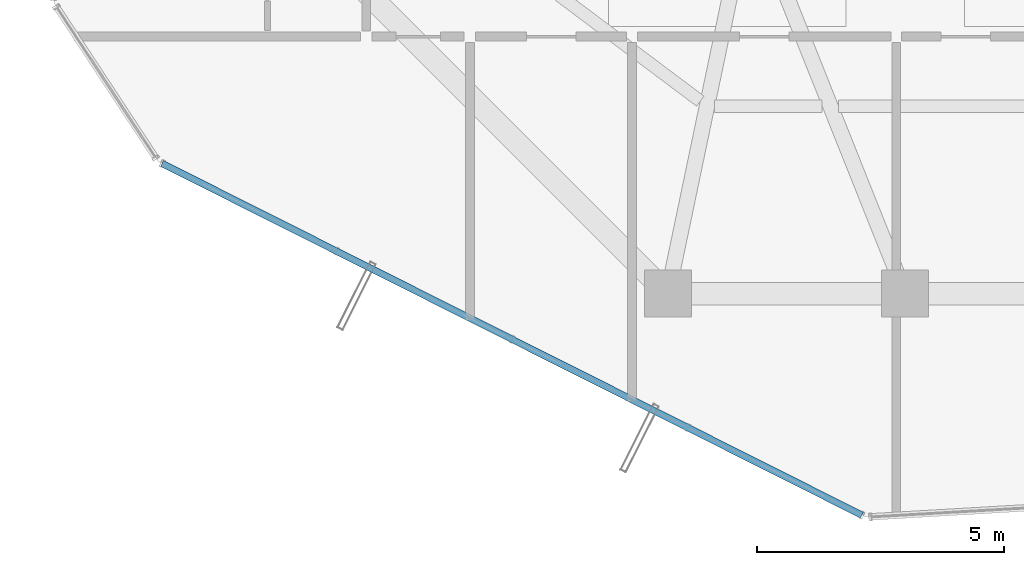
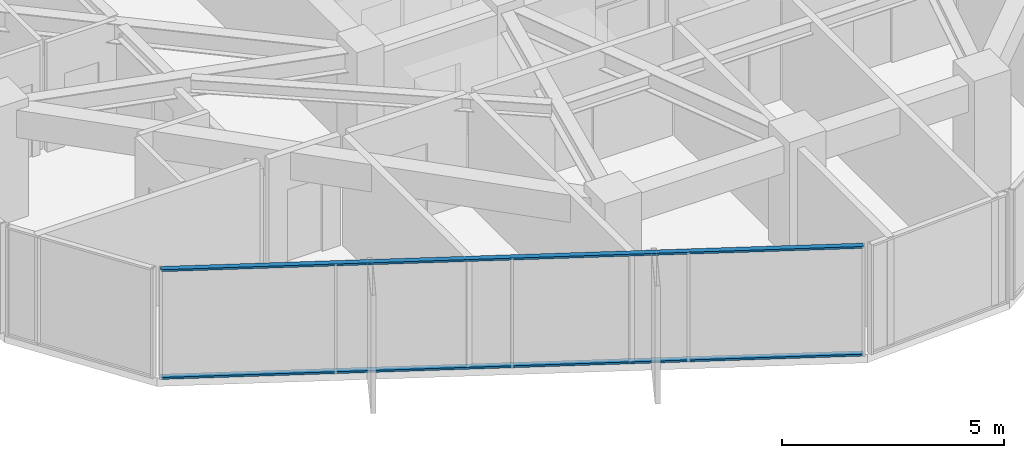
# One storey, part 3 of 33: 2 members, 1 element without a shape of its own.
"""IFC4 building model written with IfcOpenShell, lengths in metres."""

import ifcopenshell
import ifcopenshell.guid

model = None  # the IFC model being written
_history = None  # IfcOwnerHistory: only IFC2X3 demands one
_inside = {}  # id of a spatial element -> (the spatial element, [elements in it])
_under = {}  # id of a project, library or spatial element -> (it, [spatial elements below it])
_declared = {}  # id of a project -> (the project, [libraries it declares])
_typed = {}  # id of a type object -> (the type object, [elements of that type])
_made_of = {}  # id of a material, layer set ... -> (it, [elements and type objects made of it])


def new_model(schema):
    """Start an empty IFC model of exactly this schema.

    Asked for "IFC4X3", IfcOpenShell would pick the latest addendum, in which some entities
    have other attributes; the version numbers below select the first issue.
    IFC2X3 requires an IfcOwnerHistory on every rooted entity: one is made here for all.
    """
    global model, _history
    if schema == "IFC4X3":
        model = ifcopenshell.file(schema_version=(4, 3, 0, 0))
    else:
        model = ifcopenshell.file(schema=schema)
    _inside.clear()
    _under.clear()
    _declared.clear()
    _typed.clear()
    _made_of.clear()
    _history = None
    if model.schema == "IFC2X3":
        org = make("IfcOrganization", Name="unknown")
        user = make(
            "IfcPersonAndOrganization",
            ThePerson=make("IfcPerson", FamilyName="unknown"),
            TheOrganization=org,
        )
        app = make(
            "IfcApplication",
            ApplicationDeveloper=org,
            Version="unknown",
            ApplicationFullName="unknown",
            ApplicationIdentifier="unknown",
        )
        _history = make(
            "IfcOwnerHistory",
            OwningUser=user,
            OwningApplication=app,
            ChangeAction="ADDED",
            CreationDate=0,
        )
    return model


def make(cls, **values):
    """One entity of the class cls with the attributes given. An attribute that is None is left unset."""
    return model.create_entity(
        cls, **{name: value for name, value in values.items() if value is not None}
    )


def rooted(cls, **values):
    """An entity with a GlobalId (a new one), such as an element, a storey or a relation."""
    return make(cls, GlobalId=ifcopenshell.guid.new(), OwnerHistory=_history, **values)


def si_unit(unit_type, name, prefix=None):
    """IfcSIUnit, for example si_unit("LENGTHUNIT", "METRE", prefix="MILLI")."""
    return make("IfcSIUnit", UnitType=unit_type, Prefix=prefix, Name=name)


def assignment(units):
    """IfcUnitAssignment: the units of a project."""
    return None if units is None else make("IfcUnitAssignment", Units=units)


def point(xyz):
    """IfcCartesianPoint."""
    return None if xyz is None else make("IfcCartesianPoint", Coordinates=xyz)


def direction(xyz):
    """IfcDirection."""
    return None if xyz is None else make("IfcDirection", DirectionRatios=xyz)


def frame(location, z_axis=None, x_axis=None):
    """IfcAxis2Placement3D, a coordinate frame: its origin and axes. An axis left out is left unset."""
    return make(
        "IfcAxis2Placement3D",
        Location=point(location),
        Axis=direction(z_axis),
        RefDirection=direction(x_axis),
    )


def frame_2d(location, x_axis=None):
    """IfcAxis2Placement2D, a coordinate frame in the plane: its origin and x axis."""
    return make(
        "IfcAxis2Placement2D", Location=point(location), RefDirection=direction(x_axis)
    )


def origin():
    """The frame at (0, 0, 0) with its axes left unset."""
    return frame((0.0, 0.0, 0.0))


def origin_2d():
    """The frame at (0, 0) in the plane with its x axis left unset."""
    return frame_2d((0.0, 0.0))


def place(relative_to, where):
    """IfcLocalPlacement: puts the frame where relative to a parent placement (None: the world)."""
    return make(
        "IfcLocalPlacement", PlacementRelTo=relative_to, RelativePlacement=where
    )


def context(
    kind, dimensions, precision=None, world=None, true_north=None, identifier=None
):
    """IfcGeometricRepresentationContext, for example the 3D "Model" context."""
    return make(
        "IfcGeometricRepresentationContext",
        ContextIdentifier=identifier,
        ContextType=kind,
        CoordinateSpaceDimension=dimensions,
        Precision=precision,
        WorldCoordinateSystem=world,
        TrueNorth=true_north,
    )


def subcontext(parent, identifier, kind, view, scale=None):
    """IfcGeometricRepresentationSubContext, for example "Body" below "Model"."""
    return make(
        "IfcGeometricRepresentationSubContext",
        ContextIdentifier=identifier,
        ContextType=kind,
        ParentContext=parent,
        TargetScale=scale,
        TargetView=view,
    )


def project(units=None, contexts=None):
    """IfcProject with its units and contexts."""
    return rooted(
        "IfcProject",
        Name="project",
        RepresentationContexts=contexts,
        UnitsInContext=assignment(units),
    )


def spatial(cls, under=None, at=None, **own):
    """A site, building, storey or space (cls), placed at a placement, below another one or the project."""
    s = rooted(cls, ObjectPlacement=at, **own)
    if under is not None:
        _under.setdefault(under.id(), (under, []))[1].append(s)
    return s


def profile(cls, at=None, kind="AREA", **sizes):
    """A parametric profile (cls). Its sizes go by their IFC names, for example OverallWidth=200.0."""
    return make(cls, ProfileType=kind, Position=at, **sizes)


def hollow_rectangle(**sizes):
    """IfcRectangleHollowProfileDef."""
    return profile("IfcRectangleHollowProfileDef", **sizes)


def extrude(swept, where, along, depth):
    """IfcExtrudedAreaSolid: the profile swept, set in the frame where, extruded along a direction by depth."""
    return make(
        "IfcExtrudedAreaSolid",
        SweptArea=swept,
        Position=where,
        ExtrudedDirection=direction(along),
        Depth=depth,
    )


def shape(context_of_items, identifier, shape_type, items):
    """IfcShapeRepresentation: the items that make up one representation, for example the "Body"."""
    return make(
        "IfcShapeRepresentation",
        ContextOfItems=context_of_items,
        RepresentationIdentifier=identifier,
        RepresentationType=shape_type,
        Items=items,
    )


def source(mapping_origin, context_of_items, identifier, shape_type, items):
    """IfcRepresentationMap: a shape defined once, which mapped items show again and again."""
    return make(
        "IfcRepresentationMap",
        MappingOrigin=mapping_origin,
        MappedRepresentation=shape(context_of_items, identifier, shape_type, items),
    )


def transform(
    local_origin,
    x_axis=None,
    y_axis=None,
    z_axis=None,
    scale=None,
    scale2=None,
    scale3=None,
    uniform=True,
):
    """IfcCartesianTransformationOperator3D, or its non-uniform kind. x_axis, y_axis, z_axis: its Axis1, 2, 3."""
    if uniform:
        return make(
            "IfcCartesianTransformationOperator3D",
            Axis1=direction(x_axis),
            Axis2=direction(y_axis),
            LocalOrigin=point(local_origin),
            Scale=scale,
            Axis3=direction(z_axis),
        )
    return make(
        "IfcCartesianTransformationOperator3DnonUniform",
        Axis1=direction(x_axis),
        Axis2=direction(y_axis),
        LocalOrigin=point(local_origin),
        Scale=scale,
        Axis3=direction(z_axis),
        Scale2=scale2,
        Scale3=scale3,
    )


def mapped(mapping_source, mapping_target):
    """IfcMappedItem: shows the shape of a source again, moved by a transform."""
    return make(
        "IfcMappedItem", MappingSource=mapping_source, MappingTarget=mapping_target
    )


def material(Name=None, Category=None):
    """IfcMaterial."""
    return make("IfcMaterial", Name=Name, Category=Category)


def layer(
    of_material, thickness, ventilated=None, Name=None, Category=None, Priority=None
):
    """IfcMaterialLayer: one layer of a wall or slab, of a material (None: an air gap)."""
    return make(
        "IfcMaterialLayer",
        Material=of_material,
        LayerThickness=thickness,
        IsVentilated=ventilated,
        Name=Name,
        Category=Category,
        Priority=Priority,
    )


def layer_set(layers, Name=None):
    """IfcMaterialLayerSet."""
    return make("IfcMaterialLayerSet", MaterialLayers=layers, LayerSetName=Name)


def material_profile(
    of_material, cross_section, Name=None, Category=None, Priority=None
):
    """IfcMaterialProfile: a cross section and its material."""
    return make(
        "IfcMaterialProfile",
        Name=Name,
        Material=of_material,
        Profile=cross_section,
        Priority=Priority,
        Category=Category,
    )


def profile_set(profiles, Name=None, composite=None):
    """IfcMaterialProfileSet."""
    return make(
        "IfcMaterialProfileSet",
        Name=Name,
        MaterialProfiles=profiles,
        CompositeProfile=composite,
    )


def made_of(thing, what):
    """Note that an element or type object is made of a material, layer set ...; save() writes the relation."""
    if what is not None:
        _made_of.setdefault(what.id(), (what, []))[1].append(thing)
    return thing


def type_object(cls, material=None, **own):
    """A type object (cls), such as IfcWallType, which elements share."""
    return made_of(rooted(cls, **own), material)


def element(
    cls,
    number,
    at=None,
    inside=None,
    cuts=None,
    type_object=None,
    material=None,
    context=None,
    identifier="Body",
    shape_type=None,
    held_by="IfcProductDefinitionShape",
    body=None,
    shapes=None,
    **own,
):
    """One element of the class cls, such as IfcWall. Its Tag is "e" and its number.

    at: its placement. inside: the storey or other place that contains it. cuts: it is an
    opening in that element (IfcRelVoidsElement). A single representation is given by context,
    identifier, shape_type and body (its items); several are given by shapes. held_by: the class
    of the entity that holds the representations. save() writes the other relations.
    """
    e = rooted(cls, Tag="e%d" % number, ObjectPlacement=at, **own)
    if body is not None:
        shapes = [shape(context, identifier, shape_type, body)]
    if shapes is not None:
        e.Representation = make(held_by, Representations=shapes)
    if inside is not None:
        _inside.setdefault(inside.id(), (inside, []))[1].append(e)
    if cuts is not None:
        rooted(
            "IfcRelVoidsElement", RelatingBuildingElement=cuts, RelatedOpeningElement=e
        )
    if type_object is not None:
        _typed.setdefault(type_object.id(), (type_object, []))[1].append(e)
    return made_of(e, material)


def aggregate(whole, parts):
    """IfcRelAggregates: a whole, such as a stair, and the parts it consists of."""
    return rooted("IfcRelAggregates", RelatingObject=whole, RelatedObjects=parts)


def save(model, path):
    """Write the relations noted so far, then the file.

    IfcRelAggregates (storeys below a building ...), IfcRelContainedInSpatialStructure (elements
    in a storey), IfcRelDefinesByType, IfcRelAssociatesMaterial and IfcRelDeclares: one each for
    every whole, place, type object, material and project.
    """
    for whole, parts in _under.values():
        aggregate(whole, parts)
    for where, things in _inside.values():
        rooted(
            "IfcRelContainedInSpatialStructure",
            RelatedElements=things,
            RelatingStructure=where,
        )
    for kind, things in _typed.values():
        rooted("IfcRelDefinesByType", RelatedObjects=things, RelatingType=kind)
    for what, things in _made_of.values():
        rooted("IfcRelAssociatesMaterial", RelatedObjects=things, RelatingMaterial=what)
    for by, libraries in _declared.values():
        rooted("IfcRelDeclares", RelatingContext=by, RelatedDefinitions=libraries)
    model.write(path)


model = new_model("IFC4")

# Units and contexts
model_context = context("Model", 3, precision=1e-05, world=origin(), true_north=direction((0.0, 1.0)))
body_context = subcontext(model_context, "Body", "Model", "MODEL_VIEW")
ifc_project = project(units=[si_unit("LENGTHUNIT", "METRE"), si_unit("AREAUNIT", "SQUARE_METRE"), si_unit("VOLUMEUNIT", "CUBIC_METRE"), si_unit("PLANEANGLEUNIT", "RADIAN"), si_unit("MASSUNIT", "GRAM", prefix="KILO")], contexts=[model_context])

# Site, building, storey
site_placement = place(None, origin())
site = spatial("IfcSite", under=ifc_project, at=site_placement, CompositionType="ELEMENT")
building_placement = place(site_placement, origin())
building = spatial("IfcBuilding", under=site, at=building_placement, Name="Veraguas Prism Commons", CompositionType="ELEMENT")
storey_placement = place(building_placement, frame((0.0, 0.0, 195.10009765625)))
storey = spatial("IfcBuildingStorey", under=building, at=storey_placement, Name="L55", CompositionType="ELEMENT", Elevation=195.10009765625)

# Curtain wall, members
ifc_material = material(Name="Anodised aluminium EN AW-6063 T6", Category="aluminium")
ifc_layer = layer(ifc_material, 0.14990234375, Name="Unitised Flush Curtain Wall Zone 3", Category="aluminium")
ifc_layer_set = layer_set([ifc_layer], Name="Anodised aluminium EN AW-6063 T6")
curtain_wall_type = type_object("IfcCurtainWallType", Name="Unitised Flush Curtain Wall Zone 3", PredefinedType="NOTDEFINED", material=ifc_layer_set)
curtain_wall_placement = place(storey_placement, origin())
curtain_wall = element("IfcCurtainWall", 1, at=curtain_wall_placement, inside=storey, type_object=curtain_wall_type, Name="Tower Facade Curtain Wall L55-F4", PredefinedType="NOTDEFINED")
ifc_material_profile = material_profile(ifc_material, hollow_rectangle(XDim=0.054931640625, YDim=0.135009765625, WallThickness=0.0029296875, at=origin_2d()), Name="AL55X135X3")
ifc_profile_set = profile_set([ifc_material_profile], Name="Anodised aluminium EN AW-6063 T6")
member_type = type_object("IfcMemberType", Name="Curtain Wall Transom Standard AL 55x135x3", PredefinedType="USERDEFINED", material=ifc_profile_set)
shared_shape = source(origin(), body_context, "Body", "SweptSolid", [
    extrude(hollow_rectangle(XDim=0.054931640625, YDim=0.135009765625, WallThickness=0.0029296875, at=origin_2d()), origin(), (0.0, 0.0, 1.0), 15.84228515625),
])
member_1_placement = place(storey_placement, frame((8.97021484375, 11.732177734375, 0.02734375), z_axis=(0.893522305969, -0.449018806661, 0.0), x_axis=(0.0, 0.0, 1.0)))
member_1 = element("IfcMember", 2, at=member_1_placement, type_object=member_type, Name="CW-Z3 Transom 1", ObjectType="TRANSOM", PredefinedType="USERDEFINED", context=body_context, shape_type="MappedRepresentation", body=[
    mapped(shared_shape, transform((0.0, 0.0, 0.0), scale=1.0)),
])
member_2_placement = place(storey_placement, frame((8.97021484375, 11.732177734375, 2.9873046875), z_axis=(0.893522305969, -0.449018806661, 0.0), x_axis=(0.0, 0.0, 1.0)))
member_2 = element("IfcMember", 3, at=member_2_placement, type_object=member_type, Name="CW-Z3 Transom 2", ObjectType="TRANSOM", PredefinedType="USERDEFINED", context=body_context, shape_type="MappedRepresentation", body=[
    mapped(shared_shape, transform((0.0, 0.0, 0.0), scale=1.0)),
])
aggregate(curtain_wall, [member_1, member_2])

save(model, "model.ifc")
